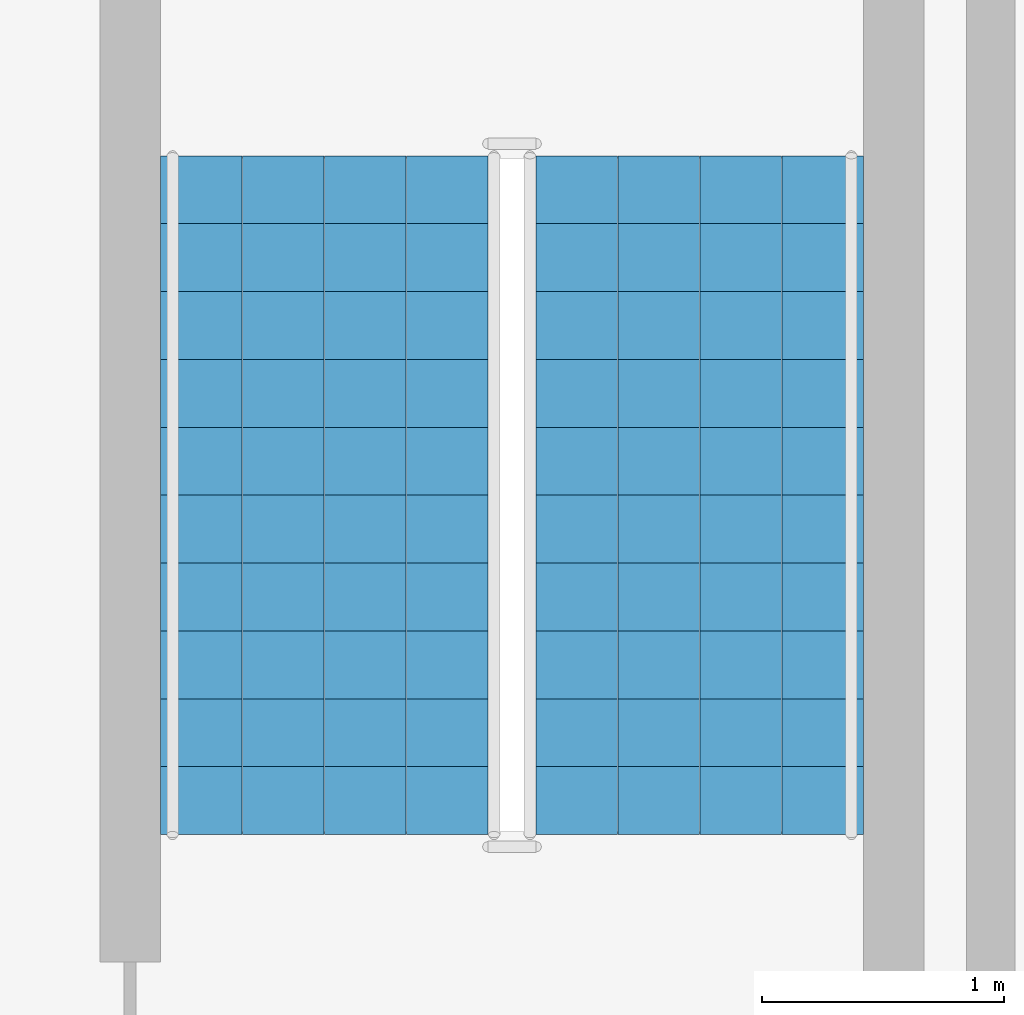
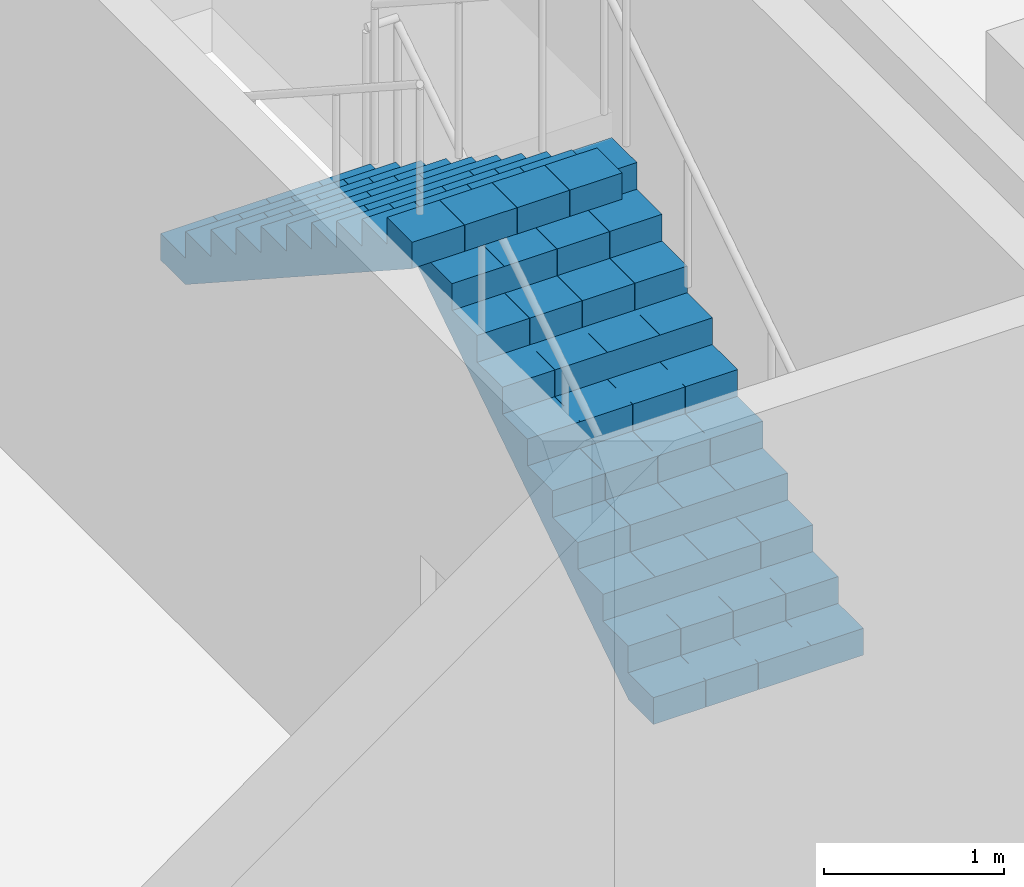
# One storey, part 12 of 18: 2 stair flights, 1 element without a shape of its own.
"""IFC4 building model written with IfcOpenShell, lengths in metres."""

import ifcopenshell
import ifcopenshell.guid

model = None  # the IFC model being written
_history = None  # IfcOwnerHistory: only IFC2X3 demands one
_inside = {}  # id of a spatial element -> (the spatial element, [elements in it])
_under = {}  # id of a project, library or spatial element -> (it, [spatial elements below it])
_declared = {}  # id of a project -> (the project, [libraries it declares])
_typed = {}  # id of a type object -> (the type object, [elements of that type])
_made_of = {}  # id of a material, layer set ... -> (it, [elements and type objects made of it])


def new_model(schema):
    """Start an empty IFC model of exactly this schema.

    Asked for "IFC4X3", IfcOpenShell would pick the latest addendum, in which some entities
    have other attributes; the version numbers below select the first issue.
    IFC2X3 requires an IfcOwnerHistory on every rooted entity: one is made here for all.
    """
    global model, _history
    if schema == "IFC4X3":
        model = ifcopenshell.file(schema_version=(4, 3, 0, 0))
    else:
        model = ifcopenshell.file(schema=schema)
    _inside.clear()
    _under.clear()
    _declared.clear()
    _typed.clear()
    _made_of.clear()
    _history = None
    if model.schema == "IFC2X3":
        org = make("IfcOrganization", Name="unknown")
        user = make(
            "IfcPersonAndOrganization",
            ThePerson=make("IfcPerson", FamilyName="unknown"),
            TheOrganization=org,
        )
        app = make(
            "IfcApplication",
            ApplicationDeveloper=org,
            Version="unknown",
            ApplicationFullName="unknown",
            ApplicationIdentifier="unknown",
        )
        _history = make(
            "IfcOwnerHistory",
            OwningUser=user,
            OwningApplication=app,
            ChangeAction="ADDED",
            CreationDate=0,
        )
    return model


def make(cls, **values):
    """One entity of the class cls with the attributes given. An attribute that is None is left unset."""
    return model.create_entity(
        cls, **{name: value for name, value in values.items() if value is not None}
    )


def rooted(cls, **values):
    """An entity with a GlobalId (a new one), such as an element, a storey or a relation."""
    return make(cls, GlobalId=ifcopenshell.guid.new(), OwnerHistory=_history, **values)


def si_unit(unit_type, name, prefix=None):
    """IfcSIUnit, for example si_unit("LENGTHUNIT", "METRE", prefix="MILLI")."""
    return make("IfcSIUnit", UnitType=unit_type, Prefix=prefix, Name=name)


def assignment(units):
    """IfcUnitAssignment: the units of a project."""
    return None if units is None else make("IfcUnitAssignment", Units=units)


def point(xyz):
    """IfcCartesianPoint."""
    return None if xyz is None else make("IfcCartesianPoint", Coordinates=xyz)


def direction(xyz):
    """IfcDirection."""
    return None if xyz is None else make("IfcDirection", DirectionRatios=xyz)


def frame(location, z_axis=None, x_axis=None):
    """IfcAxis2Placement3D, a coordinate frame: its origin and axes. An axis left out is left unset."""
    return make(
        "IfcAxis2Placement3D",
        Location=point(location),
        Axis=direction(z_axis),
        RefDirection=direction(x_axis),
    )


def origin():
    """The frame at (0, 0, 0) with its axes left unset."""
    return frame((0.0, 0.0, 0.0))


def place(relative_to, where):
    """IfcLocalPlacement: puts the frame where relative to a parent placement (None: the world)."""
    return make(
        "IfcLocalPlacement", PlacementRelTo=relative_to, RelativePlacement=where
    )


def context(
    kind, dimensions, precision=None, world=None, true_north=None, identifier=None
):
    """IfcGeometricRepresentationContext, for example the 3D "Model" context."""
    return make(
        "IfcGeometricRepresentationContext",
        ContextIdentifier=identifier,
        ContextType=kind,
        CoordinateSpaceDimension=dimensions,
        Precision=precision,
        WorldCoordinateSystem=world,
        TrueNorth=true_north,
    )


def subcontext(parent, identifier, kind, view, scale=None):
    """IfcGeometricRepresentationSubContext, for example "Body" below "Model"."""
    return make(
        "IfcGeometricRepresentationSubContext",
        ContextIdentifier=identifier,
        ContextType=kind,
        ParentContext=parent,
        TargetScale=scale,
        TargetView=view,
    )


def project(units=None, contexts=None):
    """IfcProject with its units and contexts."""
    return rooted(
        "IfcProject",
        Name="project",
        RepresentationContexts=contexts,
        UnitsInContext=assignment(units),
    )


def spatial(cls, under=None, at=None, **own):
    """A site, building, storey or space (cls), placed at a placement, below another one or the project."""
    s = rooted(cls, ObjectPlacement=at, **own)
    if under is not None:
        _under.setdefault(under.id(), (under, []))[1].append(s)
    return s


def polyline(points):
    """IfcPolyline through the points."""
    return make("IfcPolyline", Points=[point(p) for p in points])


def outline(outer, holes=None, kind="AREA"):
    """IfcArbitraryClosedProfileDef: a profile drawn as a closed curve; with holes, ...WithVoids."""
    if holes is None:
        return make("IfcArbitraryClosedProfileDef", ProfileType=kind, OuterCurve=outer)
    return make(
        "IfcArbitraryProfileDefWithVoids",
        ProfileType=kind,
        OuterCurve=outer,
        InnerCurves=holes,
    )


def extrude(swept, where, along, depth):
    """IfcExtrudedAreaSolid: the profile swept, set in the frame where, extruded along a direction by depth."""
    return make(
        "IfcExtrudedAreaSolid",
        SweptArea=swept,
        Position=where,
        ExtrudedDirection=direction(along),
        Depth=depth,
    )


def shape(context_of_items, identifier, shape_type, items):
    """IfcShapeRepresentation: the items that make up one representation, for example the "Body"."""
    return make(
        "IfcShapeRepresentation",
        ContextOfItems=context_of_items,
        RepresentationIdentifier=identifier,
        RepresentationType=shape_type,
        Items=items,
    )


def material(Name=None, Category=None):
    """IfcMaterial."""
    return make("IfcMaterial", Name=Name, Category=Category)


def made_of(thing, what):
    """Note that an element or type object is made of a material, layer set ...; save() writes the relation."""
    if what is not None:
        _made_of.setdefault(what.id(), (what, []))[1].append(thing)
    return thing


def type_object(cls, material=None, **own):
    """A type object (cls), such as IfcWallType, which elements share."""
    return made_of(rooted(cls, **own), material)


def element(
    cls,
    number,
    at=None,
    inside=None,
    cuts=None,
    type_object=None,
    material=None,
    context=None,
    identifier="Body",
    shape_type=None,
    held_by="IfcProductDefinitionShape",
    body=None,
    shapes=None,
    **own,
):
    """One element of the class cls, such as IfcWall. Its Tag is "e" and its number.

    at: its placement. inside: the storey or other place that contains it. cuts: it is an
    opening in that element (IfcRelVoidsElement). A single representation is given by context,
    identifier, shape_type and body (its items); several are given by shapes. held_by: the class
    of the entity that holds the representations. save() writes the other relations.
    """
    e = rooted(cls, Tag="e%d" % number, ObjectPlacement=at, **own)
    if body is not None:
        shapes = [shape(context, identifier, shape_type, body)]
    if shapes is not None:
        e.Representation = make(held_by, Representations=shapes)
    if inside is not None:
        _inside.setdefault(inside.id(), (inside, []))[1].append(e)
    if cuts is not None:
        rooted(
            "IfcRelVoidsElement", RelatingBuildingElement=cuts, RelatedOpeningElement=e
        )
    if type_object is not None:
        _typed.setdefault(type_object.id(), (type_object, []))[1].append(e)
    return made_of(e, material)


def aggregate(whole, parts):
    """IfcRelAggregates: a whole, such as a stair, and the parts it consists of."""
    return rooted("IfcRelAggregates", RelatingObject=whole, RelatedObjects=parts)


def save(model, path):
    """Write the relations noted so far, then the file.

    IfcRelAggregates (storeys below a building ...), IfcRelContainedInSpatialStructure (elements
    in a storey), IfcRelDefinesByType, IfcRelAssociatesMaterial and IfcRelDeclares: one each for
    every whole, place, type object, material and project.
    """
    for whole, parts in _under.values():
        aggregate(whole, parts)
    for where, things in _inside.values():
        rooted(
            "IfcRelContainedInSpatialStructure",
            RelatedElements=things,
            RelatingStructure=where,
        )
    for kind, things in _typed.values():
        rooted("IfcRelDefinesByType", RelatedObjects=things, RelatingType=kind)
    for what, things in _made_of.values():
        rooted("IfcRelAssociatesMaterial", RelatedObjects=things, RelatingMaterial=what)
    for by, libraries in _declared.values():
        rooted("IfcRelDeclares", RelatingContext=by, RelatedDefinitions=libraries)
    model.write(path)


model = new_model("IFC4")

# Units and contexts
model_context = context("Model", 3, precision=1e-05, world=origin(), true_north=direction((0.0, 1.0)))
body_context = subcontext(model_context, "Body", "Model", "MODEL_VIEW")
ifc_project = project(units=[si_unit("LENGTHUNIT", "METRE"), si_unit("AREAUNIT", "SQUARE_METRE"), si_unit("VOLUMEUNIT", "CUBIC_METRE"), si_unit("PLANEANGLEUNIT", "RADIAN"), si_unit("MASSUNIT", "GRAM", prefix="KILO")], contexts=[model_context])

# Site, building, storey
site_placement = place(None, origin())
site = spatial("IfcSite", under=ifc_project, at=site_placement, CompositionType="ELEMENT")
building_placement = place(site_placement, origin())
building = spatial("IfcBuilding", under=site, at=building_placement, Name="Cantera Rosa Tower", CompositionType="ELEMENT")
storey_placement = place(building_placement, frame((0.0, 0.0, -13.0)))
storey = spatial("IfcBuildingStorey", under=building, at=storey_placement, Name="B3", CompositionType="ELEMENT", Elevation=-13.0)

# Stair, stair flights
ifc_material_1 = material(Name="Concrete C35/45", Category="concrete")
stair_type = type_object("IfcStairType", Name="Stair half-turn 1350", PredefinedType="HALF_TURN_STAIR", material=ifc_material_1)
stair_placement = place(storey_placement, origin())
stair = element("IfcStair", 1, at=stair_placement, inside=storey, type_object=stair_type, Name="B3 ST-NE", PredefinedType="HALF_TURN_STAIR")
ifc_material_2 = material(Name="Concrete C35/45", Category="concrete")
stair_flight_type = type_object("IfcStairFlightType", Name="Stair flight 1350", PredefinedType="STRAIGHT", material=ifc_material_2)
stair_flight_1_placement = place(storey_placement, frame((31.5, 21.125, 0.0), z_axis=(0.0, 0.0, 1.0), x_axis=(0.0, 1.0, 0.0)))
stair_flight_1 = element("IfcStairFlight", 2, at=stair_flight_1_placement, type_object=stair_flight_type, Name="ST-NE flight 1", NumberOfRisers=11, NumberOfTreads=10, PredefinedType="STRAIGHT", RiserHeight=0.181818182, TreadLength=0.28, context=body_context, shape_type="SweptSolid", body=[
    extrude(outline(polyline([(0.0, 0.0), (0.0, 0.181884765625), (0.280029296875, 0.181884765625), (0.280029296875, 0.363525390625), (0.56005859375, 0.363525390625), (0.56005859375, 0.54541015625), (0.840087890625, 0.54541015625), (0.840087890625, 0.727294921875), (1.1201171875, 0.727294921875), (1.1201171875, 0.9091796875), (1.39990234375, 0.9091796875), (1.39990234375, 1.0908203125), (1.679931640625, 1.0908203125), (1.679931640625, 1.272705078125), (1.9599609375, 1.272705078125), (1.9599609375, 1.45458984375), (2.239990234375, 1.45458984375), (2.239990234375, 1.636474609375), (2.52001953125, 1.636474609375), (2.52001953125, 1.818115234375), (2.800048828125, 1.818115234375), (2.800048828125, 2.0), (2.800048828125, 1.639404296875), (0.275146484375, 0.0), (0.0, 0.0)])), frame((0.0, 0.675048828125, 0.0), z_axis=(0.0, -1.0, 0.0), x_axis=(1.0, 0.0, 0.0)), (0.0, 0.0, 1.0), 0.3359375),
    extrude(outline(polyline([(0.0, 0.0), (0.0, 0.181884765625), (0.280029296875, 0.181884765625), (0.280029296875, 0.363525390625), (0.56005859375, 0.363525390625), (0.56005859375, 0.54541015625), (0.840087890625, 0.54541015625), (0.840087890625, 0.727294921875), (1.1201171875, 0.727294921875), (1.1201171875, 0.9091796875), (1.39990234375, 0.9091796875), (1.39990234375, 1.0908203125), (1.679931640625, 1.0908203125), (1.679931640625, 1.272705078125), (1.9599609375, 1.272705078125), (1.9599609375, 1.45458984375), (2.239990234375, 1.45458984375), (2.239990234375, 1.636474609375), (2.52001953125, 1.636474609375), (2.52001953125, 1.818115234375), (2.800048828125, 1.818115234375), (2.800048828125, 2.0), (2.800048828125, 1.639404296875), (0.275146484375, 0.0), (0.0, 0.0)])), frame((0.0, 0.337158203125, 0.0), z_axis=(0.0, -1.0, 0.0), x_axis=(1.0, 0.0, 0.0)), (0.0, 0.0, 1.0), 0.3359375),
    extrude(outline(polyline([(0.0, 0.0), (0.0, 0.181884765625), (0.280029296875, 0.181884765625), (0.280029296875, 0.363525390625), (0.56005859375, 0.363525390625), (0.56005859375, 0.54541015625), (0.840087890625, 0.54541015625), (0.840087890625, 0.727294921875), (1.1201171875, 0.727294921875), (1.1201171875, 0.9091796875), (1.39990234375, 0.9091796875), (1.39990234375, 1.0908203125), (1.679931640625, 1.0908203125), (1.679931640625, 1.272705078125), (1.9599609375, 1.272705078125), (1.9599609375, 1.45458984375), (2.239990234375, 1.45458984375), (2.239990234375, 1.636474609375), (2.52001953125, 1.636474609375), (2.52001953125, 1.818115234375), (2.800048828125, 1.818115234375), (2.800048828125, 2.0), (2.800048828125, 1.639404296875), (0.275146484375, 0.0), (0.0, 0.0)])), frame((0.0, -0.000732421875, 0.0), z_axis=(0.0, -1.0, 0.0), x_axis=(1.0, 0.0, 0.0)), (0.0, 0.0, 1.0), 0.3359375),
    extrude(outline(polyline([(0.0, 0.0), (0.0, 0.181884765625), (0.280029296875, 0.181884765625), (0.280029296875, 0.363525390625), (0.56005859375, 0.363525390625), (0.56005859375, 0.54541015625), (0.840087890625, 0.54541015625), (0.840087890625, 0.727294921875), (1.1201171875, 0.727294921875), (1.1201171875, 0.9091796875), (1.39990234375, 0.9091796875), (1.39990234375, 1.0908203125), (1.679931640625, 1.0908203125), (1.679931640625, 1.272705078125), (1.9599609375, 1.272705078125), (1.9599609375, 1.45458984375), (2.239990234375, 1.45458984375), (2.239990234375, 1.636474609375), (2.52001953125, 1.636474609375), (2.52001953125, 1.818115234375), (2.800048828125, 1.818115234375), (2.800048828125, 2.0), (2.800048828125, 1.639404296875), (0.275146484375, 0.0), (0.0, 0.0)])), frame((0.0, -0.338623046875, 0.0), z_axis=(0.0, -1.0, 0.0), x_axis=(1.0, 0.0, 0.0)), (0.0, 0.0, 1.0), 0.3359375),
])
stair_flight_2_placement = place(storey_placement, frame((29.949951171875, 23.925048828125, 2.0), z_axis=(0.0, 0.0, 1.0), x_axis=(0.0, -1.0, 0.0)))
stair_flight_2 = element("IfcStairFlight", 3, at=stair_flight_2_placement, type_object=stair_flight_type, Name="ST-NE flight 2", NumberOfRisers=11, NumberOfTreads=10, PredefinedType="STRAIGHT", RiserHeight=0.181818182, TreadLength=0.28, context=body_context, shape_type="SweptSolid", body=[
    extrude(outline(polyline([(0.0, 0.0), (0.0, 0.181884765625), (0.280029296875, 0.181884765625), (0.280029296875, 0.363525390625), (0.56005859375, 0.363525390625), (0.56005859375, 0.54541015625), (0.840087890625, 0.54541015625), (0.840087890625, 0.727294921875), (1.1201171875, 0.727294921875), (1.1201171875, 0.9091796875), (1.39990234375, 0.9091796875), (1.39990234375, 1.0908203125), (1.679931640625, 1.0908203125), (1.679931640625, 1.272705078125), (1.9599609375, 1.272705078125), (1.9599609375, 1.45458984375), (2.239990234375, 1.45458984375), (2.239990234375, 1.636474609375), (2.52001953125, 1.636474609375), (2.52001953125, 1.818115234375), (2.800048828125, 1.818115234375), (2.800048828125, 2.0), (2.800048828125, 1.639404296875), (0.275146484375, 0.0), (0.0, 0.0)])), frame((0.0, 0.675048828125, 0.0), z_axis=(0.0, -1.0, 0.0), x_axis=(1.0, 0.0, 0.0)), (0.0, 0.0, 1.0), 0.3359375),
    extrude(outline(polyline([(0.0, 0.0), (0.0, 0.181884765625), (0.280029296875, 0.181884765625), (0.280029296875, 0.363525390625), (0.56005859375, 0.363525390625), (0.56005859375, 0.54541015625), (0.840087890625, 0.54541015625), (0.840087890625, 0.727294921875), (1.1201171875, 0.727294921875), (1.1201171875, 0.9091796875), (1.39990234375, 0.9091796875), (1.39990234375, 1.0908203125), (1.679931640625, 1.0908203125), (1.679931640625, 1.272705078125), (1.9599609375, 1.272705078125), (1.9599609375, 1.45458984375), (2.239990234375, 1.45458984375), (2.239990234375, 1.636474609375), (2.52001953125, 1.636474609375), (2.52001953125, 1.818115234375), (2.800048828125, 1.818115234375), (2.800048828125, 2.0), (2.800048828125, 1.639404296875), (0.275146484375, 0.0), (0.0, 0.0)])), frame((0.0, 0.337158203125, 0.0), z_axis=(0.0, -1.0, 0.0), x_axis=(1.0, 0.0, 0.0)), (0.0, 0.0, 1.0), 0.3359375),
    extrude(outline(polyline([(0.0, 0.0), (0.0, 0.181884765625), (0.280029296875, 0.181884765625), (0.280029296875, 0.363525390625), (0.56005859375, 0.363525390625), (0.56005859375, 0.54541015625), (0.840087890625, 0.54541015625), (0.840087890625, 0.727294921875), (1.1201171875, 0.727294921875), (1.1201171875, 0.9091796875), (1.39990234375, 0.9091796875), (1.39990234375, 1.0908203125), (1.679931640625, 1.0908203125), (1.679931640625, 1.272705078125), (1.9599609375, 1.272705078125), (1.9599609375, 1.45458984375), (2.239990234375, 1.45458984375), (2.239990234375, 1.636474609375), (2.52001953125, 1.636474609375), (2.52001953125, 1.818115234375), (2.800048828125, 1.818115234375), (2.800048828125, 2.0), (2.800048828125, 1.639404296875), (0.275146484375, 0.0), (0.0, 0.0)])), frame((0.0, -0.000732421875, 0.0), z_axis=(0.0, -1.0, 0.0), x_axis=(1.0, 0.0, 0.0)), (0.0, 0.0, 1.0), 0.3359375),
    extrude(outline(polyline([(0.0, 0.0), (0.0, 0.181884765625), (0.280029296875, 0.181884765625), (0.280029296875, 0.363525390625), (0.56005859375, 0.363525390625), (0.56005859375, 0.54541015625), (0.840087890625, 0.54541015625), (0.840087890625, 0.727294921875), (1.1201171875, 0.727294921875), (1.1201171875, 0.9091796875), (1.39990234375, 0.9091796875), (1.39990234375, 1.0908203125), (1.679931640625, 1.0908203125), (1.679931640625, 1.272705078125), (1.9599609375, 1.272705078125), (1.9599609375, 1.45458984375), (2.239990234375, 1.45458984375), (2.239990234375, 1.636474609375), (2.52001953125, 1.636474609375), (2.52001953125, 1.818115234375), (2.800048828125, 1.818115234375), (2.800048828125, 2.0), (2.800048828125, 1.639404296875), (0.275146484375, 0.0), (0.0, 0.0)])), frame((0.0, -0.338623046875, 0.0), z_axis=(0.0, -1.0, 0.0), x_axis=(1.0, 0.0, 0.0)), (0.0, 0.0, 1.0), 0.3359375),
])
aggregate(stair, [stair_flight_1, stair_flight_2])

save(model, "model.ifc")
